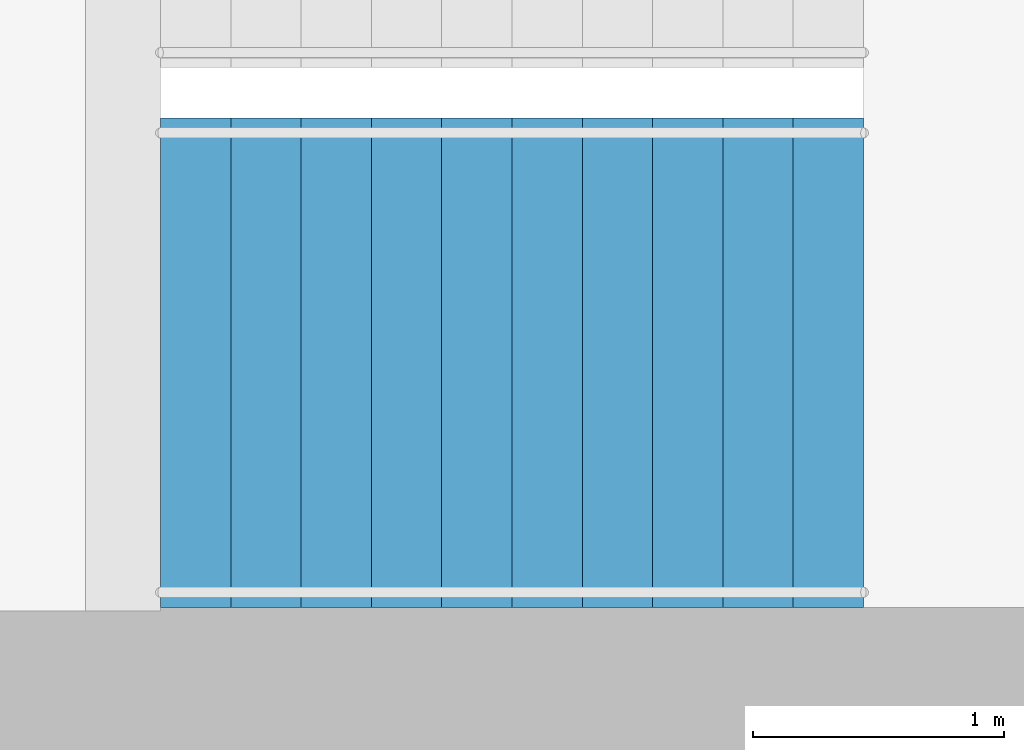
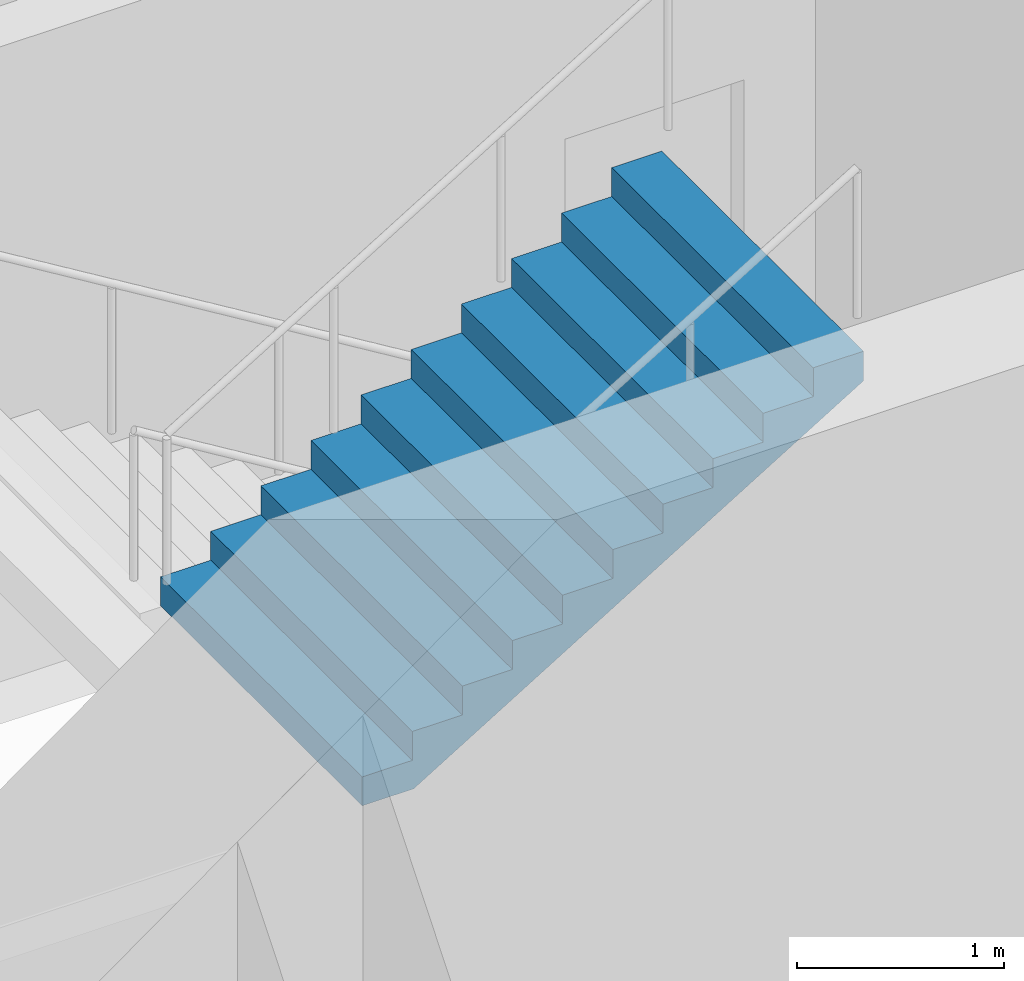
# One storey, part 22 of 24: 1 stair flight, 1 element without a shape of its own.
"""IFC4 building model written with IfcOpenShell, lengths in metres."""

from ifc_helpers import new_model, si_unit, direction, frame, origin, place, context, subcontext, project, spatial, triangles, material, type_object, element, aggregate, save


model = new_model("IFC4")

# Units and contexts
model_context = context("Model", 3, precision=1e-05, world=origin(), true_north=direction((0.0, 1.0)))
body_context = subcontext(model_context, "Body", "Model", "MODEL_VIEW")
ifc_project = project(units=[si_unit("LENGTHUNIT", "METRE"), si_unit("AREAUNIT", "SQUARE_METRE"), si_unit("VOLUMEUNIT", "CUBIC_METRE"), si_unit("PLANEANGLEUNIT", "RADIAN"), si_unit("MASSUNIT", "GRAM", prefix="KILO")], contexts=[model_context])

# Site, building, storey
site_placement = place(None, origin())
site = spatial("IfcSite", under=ifc_project, at=site_placement, CompositionType="ELEMENT")
building_placement = place(site_placement, origin())
building = spatial("IfcBuilding", under=site, at=building_placement, Name="Orbita Commons", CompositionType="ELEMENT")
storey_placement = place(building_placement, frame((0.0, 0.0, 239.050048828125)))
storey = spatial("IfcBuildingStorey", under=building, at=storey_placement, Name="L59", CompositionType="ELEMENT", Elevation=239.050048828125)

# Stair, stair flight
ifc_material_1 = material(Name="Precast concrete C40/50", Category="concrete")
stair_type = type_object("IfcStairType", Name="Exit stair S2 2 flights 11 risers 170", PredefinedType="HALF_TURN_STAIR", material=ifc_material_1)
stair_placement = place(storey_placement, origin())
stair = element("IfcStair", 1, at=stair_placement, inside=storey, type_object=stair_type, Name="Exit stair S2 L59", PredefinedType="HALF_TURN_STAIR")
ifc_material_2 = material(Name="Precast concrete C40/50", Category="concrete")
stair_flight_type = type_object("IfcStairFlightType", Name="Stair flight 11 risers 170 x 280", PredefinedType="STRAIGHT", material=ifc_material_2)
stair_flight_placement = place(storey_placement, frame((60.75, 27.125, 1.875), z_axis=(0.0, 0.0, 1.0), x_axis=(1.0, 0.0, 0.0)))
stair_flight = element("IfcStairFlight", 2, at=stair_flight_placement, type_object=stair_flight_type, Name="S2 flight 2", NumberOfRisers=11, NumberOfTreads=10, PredefinedType="STRAIGHT", RiserHeight=0.170454545, TreadLength=0.28, context=body_context, shape_type="Tessellation", body=[
    triangles([(0.0, 0.974976, 0.0), (0.0, 0.974976, 0.021307), (0.0, 0.81248, 0.021307), (0.0, 0.81248, 0.0), (0.0, 0.649984, 0.021307), (0.0, 0.649984, 0.0), (0.0, 0.487488, 0.021307), (0.0, 0.487488, 0.0), (0.0, 0.324992, 0.021307), (0.0, 0.324992, 0.0), (0.0, 0.162496, 0.021307), (0.0, 0.162496, 0.0), (0.0, 0.0, 0.021307), (0.0, 0.0, 0.0), (0.0, -0.162496, 0.021307), (0.0, -0.162496, 0.0), (0.0, -0.324992, 0.021307), (0.0, -0.324992, 0.0), (0.0, -0.487488, 0.021307), (0.0, -0.487488, 0.0), (0.0, -0.649984, 0.021307), (0.0, -0.649984, 0.0), (0.0, -0.81248, 0.021307), (0.0, -0.81248, 0.0), (0.0, -0.974976, 0.021307), (0.0, -0.974976, 0.0), (0.0, 0.974976, 0.042614), (0.0, 0.81248, 0.042614), (0.0, 0.649984, 0.042614), (0.0, 0.487488, 0.042614), (0.0, 0.324992, 0.042614), (0.0, 0.162496, 0.042614), (0.0, 0.0, 0.042614), (0.0, -0.162496, 0.042614), (0.0, -0.324992, 0.042614), (0.0, -0.487488, 0.042614), (0.0, -0.649984, 0.042614), (0.0, -0.81248, 0.042614), (0.0, -0.974976, 0.042614), (0.0, 0.974976, 0.06392), (0.0, 0.81248, 0.06392), (0.0, 0.649984, 0.06392), (0.0, 0.487488, 0.06392), (0.0, 0.324992, 0.06392), (0.0, 0.162496, 0.06392), (0.0, 0.0, 0.06392), (0.0, -0.162496, 0.06392), (0.0, -0.324992, 0.06392), (0.0, -0.487488, 0.06392), (0.0, -0.649984, 0.06392), (0.0, -0.81248, 0.06392), (0.0, -0.974976, 0.06392), (0.0, 0.974976, 0.085227), (0.0, 0.81248, 0.085227), (0.0, 0.649984, 0.085227), (0.0, 0.487488, 0.085227), (0.0, 0.324992, 0.085227), (0.0, 0.162496, 0.085227), (0.0, 0.0, 0.085227), (0.0, -0.162496, 0.085227), (0.0, -0.324992, 0.085227), (0.0, -0.487488, 0.085227), (0.0, -0.649984, 0.085227), (0.0, -0.81248, 0.085227), (0.0, -0.974976, 0.085227), (0.0, 0.974976, 0.106534), (0.0, 0.81248, 0.106534), (0.0, 0.649984, 0.106534), (0.0, 0.487488, 0.106534), (0.0, 0.324992, 0.106534), (0.0, 0.162496, 0.106534), (0.0, 0.0, 0.106534), (0.0, -0.162496, 0.106534), (0.0, -0.324992, 0.106534), (0.0, -0.487488, 0.106534), (0.0, -0.649984, 0.106534), (0.0, -0.81248, 0.106534), (0.0, -0.974976, 0.106534), (0.0, 0.974976, 0.127841), (0.0, 0.81248, 0.127841), (0.0, 0.649984, 0.127841), (0.0, 0.487488, 0.127841), (0.0, 0.324992, 0.127841), (0.0, 0.162496, 0.127841), (0.0, 0.0, 0.127841), (0.0, -0.162496, 0.127841), (0.0, -0.324992, 0.127841), (0.0, -0.487488, 0.127841), (0.0, -0.649984, 0.127841), (0.0, -0.81248, 0.127841), (0.0, -0.974976, 0.127841), (0.0, 0.974976, 0.149148), (0.0, 0.81248, 0.149148), (0.0, 0.649984, 0.149148), (0.0, 0.487488, 0.149148), (0.0, 0.324992, 0.149148), (0.0, 0.162496, 0.149148), (0.0, 0.0, 0.149148), (0.0, -0.162496, 0.149148), (0.0, -0.324992, 0.149148), (0.0, -0.487488, 0.149148), (0.0, -0.649984, 0.149148), (0.0, -0.81248, 0.149148), (0.0, -0.974976, 0.149148), (0.0, 0.974976, 0.170455), (0.0, 0.81248, 0.170455), (0.0, 0.649984, 0.170455), (0.0, 0.487488, 0.170455), (0.0, 0.324992, 0.170455), (0.0, 0.162496, 0.170455), (0.0, 0.0, 0.170455), (0.0, -0.162496, 0.170455), (0.0, -0.324992, 0.170455), (0.0, -0.487488, 0.170455), (0.0, -0.649984, 0.170455), (0.0, -0.81248, 0.170455), (0.0, -0.974976, 0.170455), (0.28, 0.974976, 0.170455), (0.28, 0.81248, 0.170455), (0.28, 0.649984, 0.170455), (0.28, 0.487488, 0.170455), (0.28, 0.324992, 0.170455), (0.28, 0.162496, 0.170455), (0.28, 0.0, 0.170455), (0.28, -0.162496, 0.170455), (0.28, -0.324992, 0.170455), (0.28, -0.487488, 0.170455), (0.28, -0.649984, 0.170455), (0.28, -0.81248, 0.170455), (0.28, -0.974976, 0.170455), (0.28, 0.974976, 0.340909), (0.28, 0.81248, 0.340909), (0.28, 0.649984, 0.340909), (0.28, 0.487488, 0.340909), (0.28, 0.324992, 0.340909), (0.28, 0.162496, 0.340909), (0.28, 0.0, 0.340909), (0.28, -0.162496, 0.340909), (0.28, -0.324992, 0.340909), (0.28, -0.487488, 0.340909), (0.28, -0.649984, 0.340909), (0.28, -0.81248, 0.340909), (0.28, -0.974976, 0.340909), (0.56, 0.974976, 0.340909), (0.56, 0.81248, 0.340909), (0.56, 0.649984, 0.340909), (0.56, 0.487488, 0.340909), (0.56, 0.324992, 0.340909), (0.56, 0.162496, 0.340909), (0.56, 0.0, 0.340909), (0.56, -0.162496, 0.340909), (0.56, -0.324992, 0.340909), (0.56, -0.487488, 0.340909), (0.56, -0.649984, 0.340909), (0.56, -0.81248, 0.340909), (0.56, -0.974976, 0.340909), (0.56, 0.974976, 0.511364), (0.56, 0.81248, 0.511364), (0.56, 0.649984, 0.511364), (0.56, 0.487488, 0.511364), (0.56, 0.324992, 0.511364), (0.56, 0.162496, 0.511364), (0.56, 0.0, 0.511364), (0.56, -0.162496, 0.511364), (0.56, -0.324992, 0.511364), (0.56, -0.487488, 0.511364), (0.56, -0.649984, 0.511364), (0.56, -0.81248, 0.511364), (0.56, -0.974976, 0.511364), (0.84, 0.974976, 0.511364), (0.84, 0.81248, 0.511364), (0.84, 0.649984, 0.511364), (0.84, 0.487488, 0.511364), (0.84, 0.324992, 0.511364), (0.84, 0.162496, 0.511364), (0.84, 0.0, 0.511364), (0.84, -0.162496, 0.511364), (0.84, -0.324992, 0.511364), (0.84, -0.487488, 0.511364), (0.84, -0.649984, 0.511364), (0.84, -0.81248, 0.511364), (0.84, -0.974976, 0.511364), (0.84, 0.974976, 0.681818), (0.84, 0.81248, 0.681818), (0.84, 0.649984, 0.681818), (0.84, 0.487488, 0.681818), (0.84, 0.324992, 0.681818), (0.84, 0.162496, 0.681818), (0.84, 0.0, 0.681818), (0.84, -0.162496, 0.681818), (0.84, -0.324992, 0.681818), (0.84, -0.487488, 0.681818), (0.84, -0.649984, 0.681818), (0.84, -0.81248, 0.681818), (0.84, -0.974976, 0.681818), (1.12, 0.974976, 0.681818), (1.12, 0.81248, 0.681818), (1.12, 0.649984, 0.681818), (1.12, 0.487488, 0.681818), (1.12, 0.324992, 0.681818), (1.12, 0.162496, 0.681818), (1.12, 0.0, 0.681818), (1.12, -0.162496, 0.681818), (1.12, -0.324992, 0.681818), (1.12, -0.487488, 0.681818), (1.12, -0.649984, 0.681818), (1.12, -0.81248, 0.681818), (1.12, -0.974976, 0.681818), (1.12, 0.974976, 0.852273), (1.12, 0.81248, 0.852273), (1.12, 0.649984, 0.852273), (1.12, 0.487488, 0.852273), (1.12, 0.324992, 0.852273), (1.12, 0.162496, 0.852273), (1.12, 0.0, 0.852273), (1.12, -0.162496, 0.852273), (1.12, -0.324992, 0.852273), (1.12, -0.487488, 0.852273), (1.12, -0.649984, 0.852273), (1.12, -0.81248, 0.852273), (1.12, -0.974976, 0.852273), (1.4, 0.974976, 0.852273), (1.4, 0.81248, 0.852273), (1.4, 0.649984, 0.852273), (1.4, 0.487488, 0.852273), (1.4, 0.324992, 0.852273), (1.4, 0.162496, 0.852273), (1.4, 0.0, 0.852273), (1.4, -0.162496, 0.852273), (1.4, -0.324992, 0.852273), (1.4, -0.487488, 0.852273), (1.4, -0.649984, 0.852273), (1.4, -0.81248, 0.852273), (1.4, -0.974976, 0.852273), (1.4, 0.974976, 1.022727), (1.4, 0.81248, 1.022727), (1.4, 0.649984, 1.022727), (1.4, 0.487488, 1.022727), (1.4, 0.324992, 1.022727), (1.4, 0.162496, 1.022727), (1.4, 0.0, 1.022727), (1.4, -0.162496, 1.022727), (1.4, -0.324992, 1.022727), (1.4, -0.487488, 1.022727), (1.4, -0.649984, 1.022727), (1.4, -0.81248, 1.022727), (1.4, -0.974976, 1.022727), (1.68, 0.974976, 1.022727), (1.68, 0.81248, 1.022727), (1.68, 0.649984, 1.022727), (1.68, 0.487488, 1.022727), (1.68, 0.324992, 1.022727), (1.68, 0.162496, 1.022727), (1.68, 0.0, 1.022727), (1.68, -0.162496, 1.022727), (1.68, -0.324992, 1.022727), (1.68, -0.487488, 1.022727), (1.68, -0.649984, 1.022727), (1.68, -0.81248, 1.022727), (1.68, -0.974976, 1.022727), (1.68, 0.974976, 1.193182), (1.68, 0.81248, 1.193182), (1.68, 0.649984, 1.193182), (1.68, 0.487488, 1.193182), (1.68, 0.324992, 1.193182), (1.68, 0.162496, 1.193182), (1.68, 0.0, 1.193182), (1.68, -0.162496, 1.193182), (1.68, -0.324992, 1.193182), (1.68, -0.487488, 1.193182), (1.68, -0.649984, 1.193182), (1.68, -0.81248, 1.193182), (1.68, -0.974976, 1.193182), (1.96, 0.974976, 1.193182), (1.96, 0.81248, 1.193182), (1.96, 0.649984, 1.193182), (1.96, 0.487488, 1.193182), (1.96, 0.324992, 1.193182), (1.96, 0.162496, 1.193182), (1.96, 0.0, 1.193182), (1.96, -0.162496, 1.193182), (1.96, -0.324992, 1.193182), (1.96, -0.487488, 1.193182), (1.96, -0.649984, 1.193182), (1.96, -0.81248, 1.193182), (1.96, -0.974976, 1.193182), (1.96, 0.974976, 1.363636), (1.96, 0.81248, 1.363636), (1.96, 0.649984, 1.363636), (1.96, 0.487488, 1.363636), (1.96, 0.324992, 1.363636), (1.96, 0.162496, 1.363636), (1.96, 0.0, 1.363636), (1.96, -0.162496, 1.363636), (1.96, -0.324992, 1.363636), (1.96, -0.487488, 1.363636), (1.96, -0.649984, 1.363636), (1.96, -0.81248, 1.363636), (1.96, -0.974976, 1.363636), (2.24, 0.974976, 1.363636), (2.24, 0.81248, 1.363636), (2.24, 0.649984, 1.363636), (2.24, 0.487488, 1.363636), (2.24, 0.324992, 1.363636), (2.24, 0.162496, 1.363636), (2.24, 0.0, 1.363636), (2.24, -0.162496, 1.363636), (2.24, -0.324992, 1.363636), (2.24, -0.487488, 1.363636), (2.24, -0.649984, 1.363636), (2.24, -0.81248, 1.363636), (2.24, -0.974976, 1.363636), (2.24, 0.974976, 1.534091), (2.24, 0.81248, 1.534091), (2.24, 0.649984, 1.534091), (2.24, 0.487488, 1.534091), (2.24, 0.324992, 1.534091), (2.24, 0.162496, 1.534091), (2.24, 0.0, 1.534091), (2.24, -0.162496, 1.534091), (2.24, -0.324992, 1.534091), (2.24, -0.487488, 1.534091), (2.24, -0.649984, 1.534091), (2.24, -0.81248, 1.534091), (2.24, -0.974976, 1.534091), (2.52, 0.974976, 1.534091), (2.52, 0.81248, 1.534091), (2.52, 0.649984, 1.534091), (2.52, 0.487488, 1.534091), (2.52, 0.324992, 1.534091), (2.52, 0.162496, 1.534091), (2.52, 0.0, 1.534091), (2.52, -0.162496, 1.534091), (2.52, -0.324992, 1.534091), (2.52, -0.487488, 1.534091), (2.52, -0.649984, 1.534091), (2.52, -0.81248, 1.534091), (2.52, -0.974976, 1.534091), (2.52, 0.974976, 1.704545), (2.52, 0.81248, 1.704545), (2.52, 0.649984, 1.704545), (2.52, 0.487488, 1.704545), (2.52, 0.324992, 1.704545), (2.52, 0.162496, 1.704545), (2.52, 0.0, 1.704545), (2.52, -0.162496, 1.704545), (2.52, -0.324992, 1.704545), (2.52, -0.487488, 1.704545), (2.52, -0.649984, 1.704545), (2.52, -0.81248, 1.704545), (2.52, -0.974976, 1.704545), (2.8, 0.974976, 1.704545), (2.8, 0.81248, 1.704545), (2.8, 0.649984, 1.704545), (2.8, 0.487488, 1.704545), (2.8, 0.324992, 1.704545), (2.8, 0.162496, 1.704545), (2.8, 0.0, 1.704545), (2.8, -0.162496, 1.704545), (2.8, -0.324992, 1.704545), (2.8, -0.487488, 1.704545), (2.8, -0.649984, 1.704545), (2.8, -0.81248, 1.704545), (2.8, -0.974976, 1.704545), (2.8, 0.974976, 1.682609), (2.8, 0.81248, 1.682609), (2.8, 0.649984, 1.682609), (2.8, 0.487488, 1.682609), (2.8, 0.324992, 1.682609), (2.8, 0.162496, 1.682609), (2.8, 0.0, 1.682609), (2.8, -0.162496, 1.682609), (2.8, -0.324992, 1.682609), (2.8, -0.487488, 1.682609), (2.8, -0.649984, 1.682609), (2.8, -0.81248, 1.682609), (2.8, -0.974976, 1.682609), (2.8, 0.974976, 1.660672), (2.8, 0.81248, 1.660672), (2.8, 0.649984, 1.660672), (2.8, 0.487488, 1.660672), (2.8, 0.324992, 1.660672), (2.8, 0.162496, 1.660672), (2.8, 0.0, 1.660672), (2.8, -0.162496, 1.660672), (2.8, -0.324992, 1.660672), (2.8, -0.487488, 1.660672), (2.8, -0.649984, 1.660672), (2.8, -0.81248, 1.660672), (2.8, -0.974976, 1.660672), (2.8, 0.974976, 1.638735), (2.8, 0.81248, 1.638735), (2.8, 0.649984, 1.638735), (2.8, 0.487488, 1.638735), (2.8, 0.324992, 1.638735), (2.8, 0.162496, 1.638735), (2.8, 0.0, 1.638735), (2.8, -0.162496, 1.638735), (2.8, -0.324992, 1.638735), (2.8, -0.487488, 1.638735), (2.8, -0.649984, 1.638735), (2.8, -0.81248, 1.638735), (2.8, -0.974976, 1.638735), (2.8, 0.974976, 1.616798), (2.8, 0.81248, 1.616798), (2.8, 0.649984, 1.616798), (2.8, 0.487488, 1.616798), (2.8, 0.324992, 1.616798), (2.8, 0.162496, 1.616798), (2.8, 0.0, 1.616798), (2.8, -0.162496, 1.616798), (2.8, -0.324992, 1.616798), (2.8, -0.487488, 1.616798), (2.8, -0.649984, 1.616798), (2.8, -0.81248, 1.616798), (2.8, -0.974976, 1.616798), (2.8, 0.974976, 1.594861), (2.8, 0.81248, 1.594861), (2.8, 0.649984, 1.594861), (2.8, 0.487488, 1.594861), (2.8, 0.324992, 1.594861), (2.8, 0.162496, 1.594861), (2.8, 0.0, 1.594861), (2.8, -0.162496, 1.594861), (2.8, -0.324992, 1.594861), (2.8, -0.487488, 1.594861), (2.8, -0.649984, 1.594861), (2.8, -0.81248, 1.594861), (2.8, -0.974976, 1.594861), (2.8, 0.974976, 1.572925), (2.8, 0.81248, 1.572925), (2.8, 0.649984, 1.572925), (2.8, 0.487488, 1.572925), (2.8, 0.324992, 1.572925), (2.8, 0.162496, 1.572925), (2.8, 0.0, 1.572925), (2.8, -0.162496, 1.572925), (2.8, -0.324992, 1.572925), (2.8, -0.487488, 1.572925), (2.8, -0.649984, 1.572925), (2.8, -0.81248, 1.572925), (2.8, -0.974976, 1.572925), (2.8, 0.974976, 1.550988), (2.8, 0.81248, 1.550988), (2.8, 0.649984, 1.550988), (2.8, 0.487488, 1.550988), (2.8, 0.324992, 1.550988), (2.8, 0.162496, 1.550988), (2.8, 0.0, 1.550988), (2.8, -0.162496, 1.550988), (2.8, -0.324992, 1.550988), (2.8, -0.487488, 1.550988), (2.8, -0.649984, 1.550988), (2.8, -0.81248, 1.550988), (2.8, -0.974976, 1.550988), (2.8, 0.974976, 1.529051), (2.8, 0.81248, 1.529051), (2.8, 0.649984, 1.529051), (2.8, 0.487488, 1.529051), (2.8, 0.324992, 1.529051), (2.8, 0.162496, 1.529051), (2.8, 0.0, 1.529051), (2.8, -0.162496, 1.529051), (2.8, -0.324992, 1.529051), (2.8, -0.487488, 1.529051), (2.8, -0.649984, 1.529051), (2.8, -0.81248, 1.529051), (2.8, -0.974976, 1.529051), (0.288279, 0.974976, 0.0), (0.288279, 0.81248, 0.0), (0.288279, 0.649984, 0.0), (0.288279, 0.487488, 0.0), (0.288279, 0.324992, 0.0), (0.288279, 0.162496, 0.0), (0.288279, 0.0, 0.0), (0.288279, -0.162496, 0.0), (0.288279, -0.324992, 0.0), (0.288279, -0.487488, 0.0), (0.288279, -0.649984, 0.0), (0.288279, -0.81248, 0.0), (0.288279, -0.974976, 0.0)], [[3, 2, 1], [4, 3, 1], [5, 3, 4], [6, 5, 4], [7, 5, 6], [8, 7, 6], [9, 7, 8], [10, 9, 8], [11, 9, 10], [12, 11, 10], [13, 11, 12], [14, 13, 12], [15, 13, 14], [16, 15, 14], [17, 15, 16], [18, 17, 16], [19, 17, 18], [20, 19, 18], [21, 19, 20], [22, 21, 20], [23, 21, 22], [24, 23, 22], [25, 23, 24], [26, 25, 24], [28, 27, 2], [3, 28, 2], [29, 28, 3], [5, 29, 3], [30, 29, 5], [7, 30, 5], [31, 30, 7], [9, 31, 7], [32, 31, 9], [11, 32, 9], [33, 32, 11], [13, 33, 11], [34, 33, 13], [15, 34, 13], [35, 34, 15], [17, 35, 15], [36, 35, 17], [19, 36, 17], [37, 36, 19], [21, 37, 19], [38, 37, 21], [23, 38, 21], [39, 38, 23], [25, 39, 23], [41, 40, 27], [28, 41, 27], [42, 41, 28], [29, 42, 28], [43, 42, 29], [30, 43, 29], [44, 43, 30], [31, 44, 30], [45, 44, 31], [32, 45, 31], [46, 45, 32], [33, 46, 32], [47, 46, 33], [34, 47, 33], [48, 47, 34], [35, 48, 34], [49, 48, 35], [36, 49, 35], [50, 49, 36], [37, 50, 36], [51, 50, 37], [38, 51, 37], [52, 51, 38], [39, 52, 38], [54, 53, 40], [41, 54, 40], [55, 54, 41], [42, 55, 41], [56, 55, 42], [43, 56, 42], [57, 56, 43], [44, 57, 43], [58, 57, 44], [45, 58, 44], [59, 58, 45], [46, 59, 45], [60, 59, 46], [47, 60, 46], [61, 60, 47], [48, 61, 47], [62, 61, 48], [49, 62, 48], [63, 62, 49], [50, 63, 49], [64, 63, 50], [51, 64, 50], [65, 64, 51], [52, 65, 51], [67, 66, 53], [54, 67, 53], [68, 67, 54], [55, 68, 54], [69, 68, 55], [56, 69, 55], [70, 69, 56], [57, 70, 56], [71, 70, 57], [58, 71, 57], [72, 71, 58], [59, 72, 58], [73, 72, 59], [60, 73, 59], [74, 73, 60], [61, 74, 60], [75, 74, 61], [62, 75, 61], [76, 75, 62], [63, 76, 62], [77, 76, 63], [64, 77, 63], [78, 77, 64], [65, 78, 64], [80, 79, 66], [67, 80, 66], [81, 80, 67], [68, 81, 67], [82, 81, 68], [69, 82, 68], [83, 82, 69], [70, 83, 69], [84, 83, 70], [71, 84, 70], [85, 84, 71], [72, 85, 71], [86, 85, 72], [73, 86, 72], [87, 86, 73], [74, 87, 73], [88, 87, 74], [75, 88, 74], [89, 88, 75], [76, 89, 75], [90, 89, 76], [77, 90, 76], [91, 90, 77], [78, 91, 77], [93, 92, 79], [80, 93, 79], [94, 93, 80], [81, 94, 80], [95, 94, 81], [82, 95, 81], [96, 95, 82], [83, 96, 82], [97, 96, 83], [84, 97, 83], [98, 97, 84], [85, 98, 84], [99, 98, 85], [86, 99, 85], [100, 99, 86], [87, 100, 86], [101, 100, 87], [88, 101, 87], [102, 101, 88], [89, 102, 88], [103, 102, 89], [90, 103, 89], [104, 103, 90], [91, 104, 90], [106, 105, 92], [93, 106, 92], [107, 106, 93], [94, 107, 93], [108, 107, 94], [95, 108, 94], [109, 108, 95], [96, 109, 95], [110, 109, 96], [97, 110, 96], [111, 110, 97], [98, 111, 97], [112, 111, 98], [99, 112, 98], [113, 112, 99], [100, 113, 99], [114, 113, 100], [101, 114, 100], [115, 114, 101], [102, 115, 101], [116, 115, 102], [103, 116, 102], [117, 116, 103], [104, 117, 103], [119, 118, 105], [106, 119, 105], [120, 119, 106], [107, 120, 106], [121, 120, 107], [108, 121, 107], [122, 121, 108], [109, 122, 108], [123, 122, 109], [110, 123, 109], [124, 123, 110], [111, 124, 110], [125, 124, 111], [112, 125, 111], [126, 125, 112], [113, 126, 112], [127, 126, 113], [114, 127, 113], [128, 127, 114], [115, 128, 114], [129, 128, 115], [116, 129, 115], [130, 129, 116], [117, 130, 116], [132, 131, 118], [119, 132, 118], [133, 132, 119], [120, 133, 119], [134, 133, 120], [121, 134, 120], [135, 134, 121], [122, 135, 121], [136, 135, 122], [123, 136, 122], [137, 136, 123], [124, 137, 123], [138, 137, 124], [125, 138, 124], [139, 138, 125], [126, 139, 125], [140, 139, 126], [127, 140, 126], [141, 140, 127], [128, 141, 127], [142, 141, 128], [129, 142, 128], [143, 142, 129], [130, 143, 129], [145, 144, 131], [132, 145, 131], [146, 145, 132], [133, 146, 132], [147, 146, 133], [134, 147, 133], [148, 147, 134], [135, 148, 134], [149, 148, 135], [136, 149, 135], [150, 149, 136], [137, 150, 136], [151, 150, 137], [138, 151, 137], [152, 151, 138], [139, 152, 138], [153, 152, 139], [140, 153, 139], [154, 153, 140], [141, 154, 140], [155, 154, 141], [142, 155, 141], [156, 155, 142], [143, 156, 142], [158, 157, 144], [145, 158, 144], [159, 158, 145], [146, 159, 145], [160, 159, 146], [147, 160, 146], [161, 160, 147], [148, 161, 147], [162, 161, 148], [149, 162, 148], [163, 162, 149], [150, 163, 149], [164, 163, 150], [151, 164, 150], [165, 164, 151], [152, 165, 151], [166, 165, 152], [153, 166, 152], [167, 166, 153], [154, 167, 153], [168, 167, 154], [155, 168, 154], [169, 168, 155], [156, 169, 155], [171, 170, 157], [158, 171, 157], [172, 171, 158], [159, 172, 158], [173, 172, 159], [160, 173, 159], [174, 173, 160], [161, 174, 160], [175, 174, 161], [162, 175, 161], [176, 175, 162], [163, 176, 162], [177, 176, 163], [164, 177, 163], [178, 177, 164], [165, 178, 164], [179, 178, 165], [166, 179, 165], [180, 179, 166], [167, 180, 166], [181, 180, 167], [168, 181, 167], [182, 181, 168], [169, 182, 168], [184, 183, 170], [171, 184, 170], [185, 184, 171], [172, 185, 171], [186, 185, 172], [173, 186, 172], [187, 186, 173], [174, 187, 173], [188, 187, 174], [175, 188, 174], [189, 188, 175], [176, 189, 175], [190, 189, 176], [177, 190, 176], [191, 190, 177], [178, 191, 177], [192, 191, 178], [179, 192, 178], [193, 192, 179], [180, 193, 179], [194, 193, 180], [181, 194, 180], [195, 194, 181], [182, 195, 181], [197, 196, 183], [184, 197, 183], [198, 197, 184], [185, 198, 184], [199, 198, 185], [186, 199, 185], [200, 199, 186], [187, 200, 186], [201, 200, 187], [188, 201, 187], [202, 201, 188], [189, 202, 188], [203, 202, 189], [190, 203, 189], [204, 203, 190], [191, 204, 190], [205, 204, 191], [192, 205, 191], [206, 205, 192], [193, 206, 192], [207, 206, 193], [194, 207, 193], [208, 207, 194], [195, 208, 194], [210, 209, 196], [197, 210, 196], [211, 210, 197], [198, 211, 197], [212, 211, 198], [199, 212, 198], [213, 212, 199], [200, 213, 199], [214, 213, 200], [201, 214, 200], [215, 214, 201], [202, 215, 201], [216, 215, 202], [203, 216, 202], [217, 216, 203], [204, 217, 203], [218, 217, 204], [205, 218, 204], [219, 218, 205], [206, 219, 205], [220, 219, 206], [207, 220, 206], [221, 220, 207], [208, 221, 207], [223, 222, 209], [210, 223, 209], [224, 223, 210], [211, 224, 210], [225, 224, 211], [212, 225, 211], [226, 225, 212], [213, 226, 212], [227, 226, 213], [214, 227, 213], [228, 227, 214], [215, 228, 214], [229, 228, 215], [216, 229, 215], [230, 229, 216], [217, 230, 216], [231, 230, 217], [218, 231, 217], [232, 231, 218], [219, 232, 218], [233, 232, 219], [220, 233, 219], [234, 233, 220], [221, 234, 220], [236, 235, 222], [223, 236, 222], [237, 236, 223], [224, 237, 223], [238, 237, 224], [225, 238, 224], [239, 238, 225], [226, 239, 225], [240, 239, 226], [227, 240, 226], [241, 240, 227], [228, 241, 227], [242, 241, 228], [229, 242, 228], [243, 242, 229], [230, 243, 229], [244, 243, 230], [231, 244, 230], [245, 244, 231], [232, 245, 231], [246, 245, 232], [233, 246, 232], [247, 246, 233], [234, 247, 233], [249, 248, 235], [236, 249, 235], [250, 249, 236], [237, 250, 236], [251, 250, 237], [238, 251, 237], [252, 251, 238], [239, 252, 238], [253, 252, 239], [240, 253, 239], [254, 253, 240], [241, 254, 240], [255, 254, 241], [242, 255, 241], [256, 255, 242], [243, 256, 242], [257, 256, 243], [244, 257, 243], [258, 257, 244], [245, 258, 244], [259, 258, 245], [246, 259, 245], [260, 259, 246], [247, 260, 246], [262, 261, 248], [249, 262, 248], [263, 262, 249], [250, 263, 249], [264, 263, 250], [251, 264, 250], [265, 264, 251], [252, 265, 251], [266, 265, 252], [253, 266, 252], [267, 266, 253], [254, 267, 253], [268, 267, 254], [255, 268, 254], [269, 268, 255], [256, 269, 255], [270, 269, 256], [257, 270, 256], [271, 270, 257], [258, 271, 257], [272, 271, 258], [259, 272, 258], [273, 272, 259], [260, 273, 259], [275, 274, 261], [262, 275, 261], [276, 275, 262], [263, 276, 262], [277, 276, 263], [264, 277, 263], [278, 277, 264], [265, 278, 264], [279, 278, 265], [266, 279, 265], [280, 279, 266], [267, 280, 266], [281, 280, 267], [268, 281, 267], [282, 281, 268], [269, 282, 268], [283, 282, 269], [270, 283, 269], [284, 283, 270], [271, 284, 270], [285, 284, 271], [272, 285, 271], [286, 285, 272], [273, 286, 272], [288, 287, 274], [275, 288, 274], [289, 288, 275], [276, 289, 275], [290, 289, 276], [277, 290, 276], [291, 290, 277], [278, 291, 277], [292, 291, 278], [279, 292, 278], [293, 292, 279], [280, 293, 279], [294, 293, 280], [281, 294, 280], [295, 294, 281], [282, 295, 281], [296, 295, 282], [283, 296, 282], [297, 296, 283], [284, 297, 283], [298, 297, 284], [285, 298, 284], [299, 298, 285], [286, 299, 285], [301, 300, 287], [288, 301, 287], [302, 301, 288], [289, 302, 288], [303, 302, 289], [290, 303, 289], [304, 303, 290], [291, 304, 290], [305, 304, 291], [292, 305, 291], [306, 305, 292], [293, 306, 292], [307, 306, 293], [294, 307, 293], [308, 307, 294], [295, 308, 294], [309, 308, 295], [296, 309, 295], [310, 309, 296], [297, 310, 296], [311, 310, 297], [298, 311, 297], [312, 311, 298], [299, 312, 298], [314, 313, 300], [301, 314, 300], [315, 314, 301], [302, 315, 301], [316, 315, 302], [303, 316, 302], [317, 316, 303], [304, 317, 303], [318, 317, 304], [305, 318, 304], [319, 318, 305], [306, 319, 305], [320, 319, 306], [307, 320, 306], [321, 320, 307], [308, 321, 307], [322, 321, 308], [309, 322, 308], [323, 322, 309], [310, 323, 309], [324, 323, 310], [311, 324, 310], [325, 324, 311], [312, 325, 311], [327, 326, 313], [314, 327, 313], [328, 327, 314], [315, 328, 314], [329, 328, 315], [316, 329, 315], [330, 329, 316], [317, 330, 316], [331, 330, 317], [318, 331, 317], [332, 331, 318], [319, 332, 318], [333, 332, 319], [320, 333, 319], [334, 333, 320], [321, 334, 320], [335, 334, 321], [322, 335, 321], [336, 335, 322], [323, 336, 322], [337, 336, 323], [324, 337, 323], [338, 337, 324], [325, 338, 324], [340, 339, 326], [327, 340, 326], [341, 340, 327], [328, 341, 327], [342, 341, 328], [329, 342, 328], [343, 342, 329], [330, 343, 329], [344, 343, 330], [331, 344, 330], [345, 344, 331], [332, 345, 331], [346, 345, 332], [333, 346, 332], [347, 346, 333], [334, 347, 333], [348, 347, 334], [335, 348, 334], [349, 348, 335], [336, 349, 335], [350, 349, 336], [337, 350, 336], [351, 350, 337], [338, 351, 337], [353, 352, 339], [340, 353, 339], [354, 353, 340], [341, 354, 340], [355, 354, 341], [342, 355, 341], [356, 355, 342], [343, 356, 342], [357, 356, 343], [344, 357, 343], [358, 357, 344], [345, 358, 344], [359, 358, 345], [346, 359, 345], [360, 359, 346], [347, 360, 346], [361, 360, 347], [348, 361, 347], [362, 361, 348], [349, 362, 348], [363, 362, 349], [350, 363, 349], [364, 363, 350], [351, 364, 350], [366, 365, 352], [353, 366, 352], [367, 366, 353], [354, 367, 353], [368, 367, 354], [355, 368, 354], [369, 368, 355], [356, 369, 355], [370, 369, 356], [357, 370, 356], [371, 370, 357], [358, 371, 357], [372, 371, 358], [359, 372, 358], [373, 372, 359], [360, 373, 359], [374, 373, 360], [361, 374, 360], [375, 374, 361], [362, 375, 361], [376, 375, 362], [363, 376, 362], [377, 376, 363], [364, 377, 363], [379, 378, 365], [366, 379, 365], [380, 379, 366], [367, 380, 366], [381, 380, 367], [368, 381, 367], [382, 381, 368], [369, 382, 368], [383, 382, 369], [370, 383, 369], [384, 383, 370], [371, 384, 370], [385, 384, 371], [372, 385, 371], [386, 385, 372], [373, 386, 372], [387, 386, 373], [374, 387, 373], [388, 387, 374], [375, 388, 374], [389, 388, 375], [376, 389, 375], [390, 389, 376], [377, 390, 376], [392, 391, 378], [379, 392, 378], [393, 392, 379], [380, 393, 379], [394, 393, 380], [381, 394, 380], [395, 394, 381], [382, 395, 381], [396, 395, 382], [383, 396, 382], [397, 396, 383], [384, 397, 383], [398, 397, 384], [385, 398, 384], [399, 398, 385], [386, 399, 385], [400, 399, 386], [387, 400, 386], [401, 400, 387], [388, 401, 387], [402, 401, 388], [389, 402, 388], [403, 402, 389], [390, 403, 389], [405, 404, 391], [392, 405, 391], [406, 405, 392], [393, 406, 392], [407, 406, 393], [394, 407, 393], [408, 407, 394], [395, 408, 394], [409, 408, 395], [396, 409, 395], [410, 409, 396], [397, 410, 396], [411, 410, 397], [398, 411, 397], [412, 411, 398], [399, 412, 398], [413, 412, 399], [400, 413, 399], [414, 413, 400], [401, 414, 400], [415, 414, 401], [402, 415, 401], [416, 415, 402], [403, 416, 402], [418, 417, 404], [405, 418, 404], [419, 418, 405], [406, 419, 405], [420, 419, 406], [407, 420, 406], [421, 420, 407], [408, 421, 407], [422, 421, 408], [409, 422, 408], [423, 422, 409], [410, 423, 409], [424, 423, 410], [411, 424, 410], [425, 424, 411], [412, 425, 411], [426, 425, 412], [413, 426, 412], [427, 426, 413], [414, 427, 413], [428, 427, 414], [415, 428, 414], [429, 428, 415], [416, 429, 415], [431, 430, 417], [418, 431, 417], [432, 431, 418], [419, 432, 418], [433, 432, 419], [420, 433, 419], [434, 433, 420], [421, 434, 420], [435, 434, 421], [422, 435, 421], [436, 435, 422], [423, 436, 422], [437, 436, 423], [424, 437, 423], [438, 437, 424], [425, 438, 424], [439, 438, 425], [426, 439, 425], [440, 439, 426], [427, 440, 426], [441, 440, 427], [428, 441, 427], [442, 441, 428], [429, 442, 428], [444, 443, 430], [431, 444, 430], [445, 444, 431], [432, 445, 431], [446, 445, 432], [433, 446, 432], [447, 446, 433], [434, 447, 433], [448, 447, 434], [435, 448, 434], [449, 448, 435], [436, 449, 435], [450, 449, 436], [437, 450, 436], [451, 450, 437], [438, 451, 437], [452, 451, 438], [439, 452, 438], [453, 452, 439], [440, 453, 439], [454, 453, 440], [441, 454, 440], [455, 454, 441], [442, 455, 441], [457, 456, 443], [444, 457, 443], [458, 457, 444], [445, 458, 444], [459, 458, 445], [446, 459, 445], [460, 459, 446], [447, 460, 446], [461, 460, 447], [448, 461, 447], [462, 461, 448], [449, 462, 448], [463, 462, 449], [450, 463, 449], [464, 463, 450], [451, 464, 450], [465, 464, 451], [452, 465, 451], [466, 465, 452], [453, 466, 452], [467, 466, 453], [454, 467, 453], [468, 467, 454], [455, 468, 454], [470, 469, 456], [457, 470, 456], [471, 470, 457], [458, 471, 457], [472, 471, 458], [459, 472, 458], [473, 472, 459], [460, 473, 459], [474, 473, 460], [461, 474, 460], [475, 474, 461], [462, 475, 461], [476, 475, 462], [463, 476, 462], [477, 476, 463], [464, 477, 463], [478, 477, 464], [465, 478, 464], [479, 478, 465], [466, 479, 465], [480, 479, 466], [467, 480, 466], [481, 480, 467], [468, 481, 467], [4, 1, 469], [470, 4, 469], [6, 4, 470], [471, 6, 470], [8, 6, 471], [472, 8, 471], [10, 8, 472], [473, 10, 472], [12, 10, 473], [474, 12, 473], [14, 12, 474], [475, 14, 474], [16, 14, 475], [476, 16, 475], [18, 16, 476], [477, 18, 476], [20, 18, 477], [478, 20, 477], [22, 20, 478], [479, 22, 478], [24, 22, 479], [480, 24, 479], [26, 24, 480], [481, 26, 480], [456, 469, 1], [26, 481, 468], [443, 456, 1], [26, 468, 455], [430, 443, 1], [26, 455, 442], [417, 430, 1], [26, 442, 429], [404, 417, 1], [26, 429, 416], [391, 404, 1], [26, 416, 403], [378, 391, 1], [26, 403, 390], [365, 378, 1], [26, 390, 377], [339, 352, 365], [377, 364, 351], [326, 339, 365], [377, 351, 338], [300, 313, 326], [338, 325, 312], [300, 326, 365], [377, 338, 312], [274, 287, 300], [312, 299, 286], [274, 300, 365], [377, 312, 286], [248, 261, 274], [286, 273, 260], [248, 274, 365], [377, 286, 260], [222, 235, 248], [260, 247, 234], [222, 248, 365], [377, 260, 234], [196, 209, 222], [234, 221, 208], [196, 222, 365], [377, 234, 208], [170, 183, 196], [208, 195, 182], [170, 196, 365], [377, 208, 182], [144, 157, 170], [182, 169, 156], [144, 170, 365], [377, 182, 156], [118, 131, 144], [156, 143, 130], [118, 144, 365], [377, 156, 130], [118, 365, 1], [26, 377, 130], [92, 105, 118], [130, 117, 104], [79, 92, 118], [130, 104, 91], [66, 79, 118], [130, 91, 78], [53, 66, 118], [130, 78, 65], [40, 53, 118], [130, 65, 52], [27, 40, 118], [130, 52, 39], [2, 27, 118], [130, 39, 25], [1, 2, 118], [130, 25, 26]], closed=True),
])
aggregate(stair, [stair_flight])

save(model, "model.ifc")
